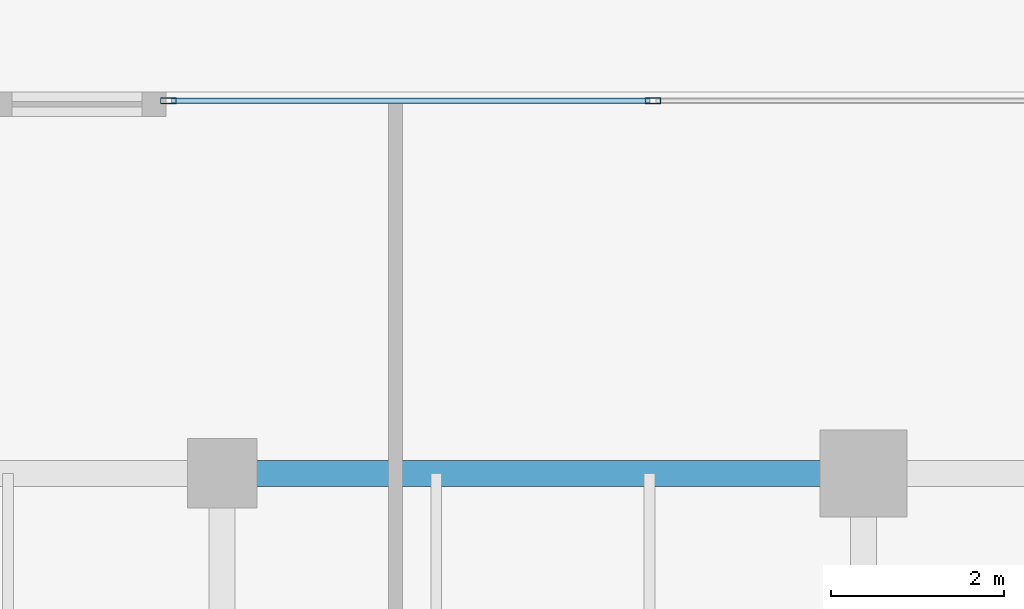
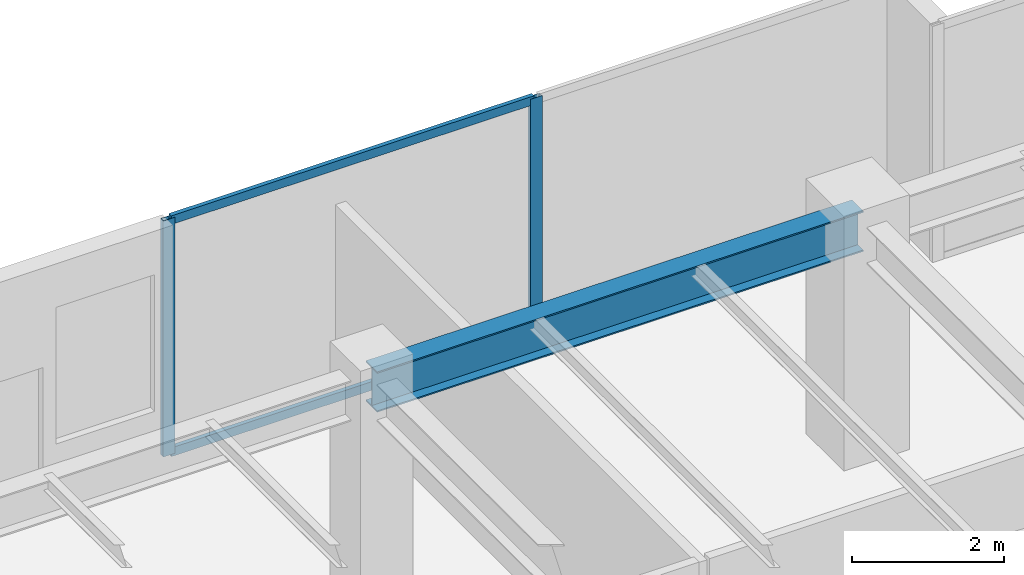
# One storey, part 15 of 34: 4 members, 1 beam, 1 element without a shape of its own.
"""IFC4 building model written with IfcOpenShell, lengths in metres."""

import ifcopenshell
import ifcopenshell.guid

model = None  # the IFC model being written
_history = None  # IfcOwnerHistory: only IFC2X3 demands one
_inside = {}  # id of a spatial element -> (the spatial element, [elements in it])
_under = {}  # id of a project, library or spatial element -> (it, [spatial elements below it])
_declared = {}  # id of a project -> (the project, [libraries it declares])
_typed = {}  # id of a type object -> (the type object, [elements of that type])
_made_of = {}  # id of a material, layer set ... -> (it, [elements and type objects made of it])


def new_model(schema):
    """Start an empty IFC model of exactly this schema.

    Asked for "IFC4X3", IfcOpenShell would pick the latest addendum, in which some entities
    have other attributes; the version numbers below select the first issue.
    IFC2X3 requires an IfcOwnerHistory on every rooted entity: one is made here for all.
    """
    global model, _history
    if schema == "IFC4X3":
        model = ifcopenshell.file(schema_version=(4, 3, 0, 0))
    else:
        model = ifcopenshell.file(schema=schema)
    _inside.clear()
    _under.clear()
    _declared.clear()
    _typed.clear()
    _made_of.clear()
    _history = None
    if model.schema == "IFC2X3":
        org = make("IfcOrganization", Name="unknown")
        user = make(
            "IfcPersonAndOrganization",
            ThePerson=make("IfcPerson", FamilyName="unknown"),
            TheOrganization=org,
        )
        app = make(
            "IfcApplication",
            ApplicationDeveloper=org,
            Version="unknown",
            ApplicationFullName="unknown",
            ApplicationIdentifier="unknown",
        )
        _history = make(
            "IfcOwnerHistory",
            OwningUser=user,
            OwningApplication=app,
            ChangeAction="ADDED",
            CreationDate=0,
        )
    return model


def make(cls, **values):
    """One entity of the class cls with the attributes given. An attribute that is None is left unset."""
    return model.create_entity(
        cls, **{name: value for name, value in values.items() if value is not None}
    )


def rooted(cls, **values):
    """An entity with a GlobalId (a new one), such as an element, a storey or a relation."""
    return make(cls, GlobalId=ifcopenshell.guid.new(), OwnerHistory=_history, **values)


def si_unit(unit_type, name, prefix=None):
    """IfcSIUnit, for example si_unit("LENGTHUNIT", "METRE", prefix="MILLI")."""
    return make("IfcSIUnit", UnitType=unit_type, Prefix=prefix, Name=name)


def assignment(units):
    """IfcUnitAssignment: the units of a project."""
    return None if units is None else make("IfcUnitAssignment", Units=units)


def point(xyz):
    """IfcCartesianPoint."""
    return None if xyz is None else make("IfcCartesianPoint", Coordinates=xyz)


def direction(xyz):
    """IfcDirection."""
    return None if xyz is None else make("IfcDirection", DirectionRatios=xyz)


def frame(location, z_axis=None, x_axis=None):
    """IfcAxis2Placement3D, a coordinate frame: its origin and axes. An axis left out is left unset."""
    return make(
        "IfcAxis2Placement3D",
        Location=point(location),
        Axis=direction(z_axis),
        RefDirection=direction(x_axis),
    )


def frame_2d(location, x_axis=None):
    """IfcAxis2Placement2D, a coordinate frame in the plane: its origin and x axis."""
    return make(
        "IfcAxis2Placement2D", Location=point(location), RefDirection=direction(x_axis)
    )


def origin():
    """The frame at (0, 0, 0) with its axes left unset."""
    return frame((0.0, 0.0, 0.0))


def origin_2d():
    """The frame at (0, 0) in the plane with its x axis left unset."""
    return frame_2d((0.0, 0.0))


def place(relative_to, where):
    """IfcLocalPlacement: puts the frame where relative to a parent placement (None: the world)."""
    return make(
        "IfcLocalPlacement", PlacementRelTo=relative_to, RelativePlacement=where
    )


def context(
    kind, dimensions, precision=None, world=None, true_north=None, identifier=None
):
    """IfcGeometricRepresentationContext, for example the 3D "Model" context."""
    return make(
        "IfcGeometricRepresentationContext",
        ContextIdentifier=identifier,
        ContextType=kind,
        CoordinateSpaceDimension=dimensions,
        Precision=precision,
        WorldCoordinateSystem=world,
        TrueNorth=true_north,
    )


def subcontext(parent, identifier, kind, view, scale=None):
    """IfcGeometricRepresentationSubContext, for example "Body" below "Model"."""
    return make(
        "IfcGeometricRepresentationSubContext",
        ContextIdentifier=identifier,
        ContextType=kind,
        ParentContext=parent,
        TargetScale=scale,
        TargetView=view,
    )


def project(units=None, contexts=None):
    """IfcProject with its units and contexts."""
    return rooted(
        "IfcProject",
        Name="project",
        RepresentationContexts=contexts,
        UnitsInContext=assignment(units),
    )


def spatial(cls, under=None, at=None, **own):
    """A site, building, storey or space (cls), placed at a placement, below another one or the project."""
    s = rooted(cls, ObjectPlacement=at, **own)
    if under is not None:
        _under.setdefault(under.id(), (under, []))[1].append(s)
    return s


def profile(cls, at=None, kind="AREA", **sizes):
    """A parametric profile (cls). Its sizes go by their IFC names, for example OverallWidth=200.0."""
    return make(cls, ProfileType=kind, Position=at, **sizes)


def hollow_rectangle(**sizes):
    """IfcRectangleHollowProfileDef."""
    return profile("IfcRectangleHollowProfileDef", **sizes)


def i_section(**sizes):
    """IfcIShapeProfileDef."""
    return profile("IfcIShapeProfileDef", **sizes)


def extrude(swept, where, along, depth):
    """IfcExtrudedAreaSolid: the profile swept, set in the frame where, extruded along a direction by depth."""
    return make(
        "IfcExtrudedAreaSolid",
        SweptArea=swept,
        Position=where,
        ExtrudedDirection=direction(along),
        Depth=depth,
    )


def shape(context_of_items, identifier, shape_type, items):
    """IfcShapeRepresentation: the items that make up one representation, for example the "Body"."""
    return make(
        "IfcShapeRepresentation",
        ContextOfItems=context_of_items,
        RepresentationIdentifier=identifier,
        RepresentationType=shape_type,
        Items=items,
    )


def source(mapping_origin, context_of_items, identifier, shape_type, items):
    """IfcRepresentationMap: a shape defined once, which mapped items show again and again."""
    return make(
        "IfcRepresentationMap",
        MappingOrigin=mapping_origin,
        MappedRepresentation=shape(context_of_items, identifier, shape_type, items),
    )


def transform(
    local_origin,
    x_axis=None,
    y_axis=None,
    z_axis=None,
    scale=None,
    scale2=None,
    scale3=None,
    uniform=True,
):
    """IfcCartesianTransformationOperator3D, or its non-uniform kind. x_axis, y_axis, z_axis: its Axis1, 2, 3."""
    if uniform:
        return make(
            "IfcCartesianTransformationOperator3D",
            Axis1=direction(x_axis),
            Axis2=direction(y_axis),
            LocalOrigin=point(local_origin),
            Scale=scale,
            Axis3=direction(z_axis),
        )
    return make(
        "IfcCartesianTransformationOperator3DnonUniform",
        Axis1=direction(x_axis),
        Axis2=direction(y_axis),
        LocalOrigin=point(local_origin),
        Scale=scale,
        Axis3=direction(z_axis),
        Scale2=scale2,
        Scale3=scale3,
    )


def mapped(mapping_source, mapping_target):
    """IfcMappedItem: shows the shape of a source again, moved by a transform."""
    return make(
        "IfcMappedItem", MappingSource=mapping_source, MappingTarget=mapping_target
    )


def material(Name=None, Category=None):
    """IfcMaterial."""
    return make("IfcMaterial", Name=Name, Category=Category)


def layer(
    of_material, thickness, ventilated=None, Name=None, Category=None, Priority=None
):
    """IfcMaterialLayer: one layer of a wall or slab, of a material (None: an air gap)."""
    return make(
        "IfcMaterialLayer",
        Material=of_material,
        LayerThickness=thickness,
        IsVentilated=ventilated,
        Name=Name,
        Category=Category,
        Priority=Priority,
    )


def layer_set(layers, Name=None):
    """IfcMaterialLayerSet."""
    return make("IfcMaterialLayerSet", MaterialLayers=layers, LayerSetName=Name)


def material_profile(
    of_material, cross_section, Name=None, Category=None, Priority=None
):
    """IfcMaterialProfile: a cross section and its material."""
    return make(
        "IfcMaterialProfile",
        Name=Name,
        Material=of_material,
        Profile=cross_section,
        Priority=Priority,
        Category=Category,
    )


def profile_set(profiles, Name=None, composite=None):
    """IfcMaterialProfileSet."""
    return make(
        "IfcMaterialProfileSet",
        Name=Name,
        MaterialProfiles=profiles,
        CompositeProfile=composite,
    )


def made_of(thing, what):
    """Note that an element or type object is made of a material, layer set ...; save() writes the relation."""
    if what is not None:
        _made_of.setdefault(what.id(), (what, []))[1].append(thing)
    return thing


def type_object(cls, material=None, **own):
    """A type object (cls), such as IfcWallType, which elements share."""
    return made_of(rooted(cls, **own), material)


def type_shapes(of_type, sources):
    """Give a type object the sources (RepresentationMaps) that its elements show as mapped items."""
    of_type.RepresentationMaps = sources


def element(
    cls,
    number,
    at=None,
    inside=None,
    cuts=None,
    type_object=None,
    material=None,
    context=None,
    identifier="Body",
    shape_type=None,
    held_by="IfcProductDefinitionShape",
    body=None,
    shapes=None,
    **own,
):
    """One element of the class cls, such as IfcWall. Its Tag is "e" and its number.

    at: its placement. inside: the storey or other place that contains it. cuts: it is an
    opening in that element (IfcRelVoidsElement). A single representation is given by context,
    identifier, shape_type and body (its items); several are given by shapes. held_by: the class
    of the entity that holds the representations. save() writes the other relations.
    """
    e = rooted(cls, Tag="e%d" % number, ObjectPlacement=at, **own)
    if body is not None:
        shapes = [shape(context, identifier, shape_type, body)]
    if shapes is not None:
        e.Representation = make(held_by, Representations=shapes)
    if inside is not None:
        _inside.setdefault(inside.id(), (inside, []))[1].append(e)
    if cuts is not None:
        rooted(
            "IfcRelVoidsElement", RelatingBuildingElement=cuts, RelatedOpeningElement=e
        )
    if type_object is not None:
        _typed.setdefault(type_object.id(), (type_object, []))[1].append(e)
    return made_of(e, material)


def aggregate(whole, parts):
    """IfcRelAggregates: a whole, such as a stair, and the parts it consists of."""
    return rooted("IfcRelAggregates", RelatingObject=whole, RelatedObjects=parts)


def save(model, path):
    """Write the relations noted so far, then the file.

    IfcRelAggregates (storeys below a building ...), IfcRelContainedInSpatialStructure (elements
    in a storey), IfcRelDefinesByType, IfcRelAssociatesMaterial and IfcRelDeclares: one each for
    every whole, place, type object, material and project.
    """
    for whole, parts in _under.values():
        aggregate(whole, parts)
    for where, things in _inside.values():
        rooted(
            "IfcRelContainedInSpatialStructure",
            RelatedElements=things,
            RelatingStructure=where,
        )
    for kind, things in _typed.values():
        rooted("IfcRelDefinesByType", RelatedObjects=things, RelatingType=kind)
    for what, things in _made_of.values():
        rooted("IfcRelAssociatesMaterial", RelatedObjects=things, RelatingMaterial=what)
    for by, libraries in _declared.values():
        rooted("IfcRelDeclares", RelatingContext=by, RelatedDefinitions=libraries)
    model.write(path)


model = new_model("IFC4")

# Units and contexts
model_context = context("Model", 3, precision=1e-05, world=origin(), true_north=direction((0.0, 1.0)))
body_context = subcontext(model_context, "Body", "Model", "MODEL_VIEW")
ifc_project = project(units=[si_unit("LENGTHUNIT", "METRE"), si_unit("AREAUNIT", "SQUARE_METRE"), si_unit("VOLUMEUNIT", "CUBIC_METRE"), si_unit("PLANEANGLEUNIT", "RADIAN"), si_unit("MASSUNIT", "GRAM", prefix="KILO")], contexts=[model_context])

# Site, building, storey
site_placement = place(None, origin())
site = spatial("IfcSite", under=ifc_project, at=site_placement, CompositionType="ELEMENT")
building_placement = place(site_placement, origin())
building = spatial("IfcBuilding", under=site, at=building_placement, Name="Haelvirn Gate Laboratories", CompositionType="ELEMENT")
storey_placement = place(building_placement, frame((0.0, 0.0, 246.5)))
storey = spatial("IfcBuildingStorey", under=building, at=storey_placement, Name="L59", CompositionType="ELEMENT", Elevation=246.5)

# Beam
ifc_material_1 = material(Name="Steel SM355", Category="steel")
ifc_material_profile_1 = material_profile(ifc_material_1, i_section(OverallWidth=0.300048828125, OverallDepth=0.64990234375, WebThickness=0.012939453125, FlangeThickness=0.02197265625, at=origin_2d()), Name="H-650x300x13x22")
ifc_profile_set_1 = profile_set([ifc_material_profile_1], Name="Steel SM355")
beam_type = type_object("IfcBeamType", Name="BM-G-650", PredefinedType="BEAM", material=ifc_profile_set_1)
shared_shape_1 = source(origin(), body_context, "Body", "SweptSolid", [
    extrude(i_section(OverallWidth=0.300048828125, OverallDepth=0.64990234375, WebThickness=0.012939453125, FlangeThickness=0.02197265625, at=origin_2d()), origin(), (0.0, 0.0, 1.0), 7.39990234375),
])
type_shapes(beam_type, [shared_shape_1])
beam_placement = place(storey_placement, frame((14.800048828125, 41.60009765625, 3.47509765625), z_axis=(1.0, 0.0, 0.0), x_axis=(0.0, 1.0, 0.0)))
element("IfcBeam", 1, at=beam_placement, inside=storey, type_object=beam_type, Name="L59 Primary Girder Y41.6 (14.8-22.2)", PredefinedType="BEAM", context=body_context, shape_type="MappedRepresentation", body=[
    mapped(shared_shape_1, transform((0.0, 0.0, 0.0), scale=1.0)),
])

# Curtain wall, members
ifc_material_2 = material(Name="Anodised bronze unitised aluminium & triple low-E glass", Category="aluminium")
ifc_layer = layer(ifc_material_2, 0.176025390625, Name="CW-SYS-4")
ifc_layer_set = layer_set([ifc_layer], Name="Anodised bronze unitised aluminium & triple low-E glass")
curtain_wall_type = type_object("IfcCurtainWallType", Name="CW-SYS-4", PredefinedType="NOTDEFINED", material=ifc_layer_set)
curtain_wall_placement = place(storey_placement, origin())
curtain_wall = element("IfcCurtainWall", 2, at=curtain_wall_placement, inside=storey, type_object=curtain_wall_type, Name="L59 Unitised Curtain Wall CW-L59-P0-E14-2", PredefinedType="NOTDEFINED")
ifc_material_3 = material(Name="Extruded aluminium 6063-T6 (anodised bronze)", Category="aluminium")
ifc_material_profile_2 = material_profile(ifc_material_3, hollow_rectangle(XDim=0.070068359375, YDim=0.179931640625, WallThickness=0.0048828125, at=origin_2d()), Name="CWM-180x70x5")
ifc_profile_set_2 = profile_set([ifc_material_profile_2], Name="Extruded aluminium 6063-T6 (anodised bronze)")
member_type_1 = type_object("IfcMemberType", Name="CWM-T180", PredefinedType="MULLION", material=ifc_profile_set_2)
shared_shape_2 = source(origin(), body_context, "Body", "SweptSolid", [
    extrude(hollow_rectangle(XDim=0.070068359375, YDim=0.179931640625, WallThickness=0.0048828125, at=origin_2d()), origin(), (0.0, 0.0, 1.0), 3.800048828125),
])
type_shapes(member_type_1, [shared_shape_2])
member_1_placement = place(storey_placement, frame((14.179931640625, 45.89990234375, 0.0), z_axis=(0.0, 0.0, 1.0), x_axis=(0.0, 1.0, 0.0)))
member_1 = element("IfcMember", 3, at=member_1_placement, type_object=member_type_1, Name="CW4 mullion 1", PredefinedType="MULLION", context=body_context, shape_type="MappedRepresentation", body=[
    mapped(shared_shape_2, transform((0.0, 0.0, 0.0), scale=1.0)),
])
member_2_placement = place(storey_placement, frame((19.7724609375, 45.89990234375, 0.0), z_axis=(0.0, 0.0, 1.0), x_axis=(0.0, 1.0, 0.0)))
member_2 = element("IfcMember", 4, at=member_2_placement, type_object=member_type_1, Name="CW4 mullion 2", PredefinedType="MULLION", context=body_context, shape_type="MappedRepresentation", body=[
    mapped(shared_shape_2, transform((0.0, 0.0, 0.0), scale=1.0)),
])
ifc_material_profile_3 = material_profile(ifc_material_3, hollow_rectangle(XDim=0.06494140625, YDim=0.139892578125, WallThickness=0.00390625, at=origin_2d()), Name="CWT-140x65x4")
ifc_profile_set_3 = profile_set([ifc_material_profile_3], Name="Extruded aluminium 6063-T6 (anodised bronze)")
member_type_2 = type_object("IfcMemberType", Name="CWT-T140", PredefinedType="USERDEFINED", material=ifc_profile_set_3)
shared_shape_3 = source(origin(), body_context, "Body", "SweptSolid", [
    extrude(hollow_rectangle(XDim=0.06494140625, YDim=0.139892578125, WallThickness=0.00390625, at=origin_2d()), origin(), (0.0, 0.0, 1.0), 5.5224609375),
])
type_shapes(member_type_2, [shared_shape_3])
member_3_placement = place(storey_placement, frame((14.215087890625, 45.89990234375, 0.032470703125), z_axis=(1.0, 0.0, 0.0), x_axis=(0.0, 1.0, 0.0)))
member_3 = element("IfcMember", 5, at=member_3_placement, type_object=member_type_2, Name="CW4 transom 1.1", ObjectType="TRANSOM", PredefinedType="USERDEFINED", context=body_context, shape_type="MappedRepresentation", body=[
    mapped(shared_shape_3, transform((0.0, 0.0, 0.0), scale=1.0)),
])
member_4_placement = place(storey_placement, frame((14.215087890625, 45.89990234375, 3.767578125), z_axis=(1.0, 0.0, 0.0), x_axis=(0.0, 1.0, 0.0)))
member_4 = element("IfcMember", 6, at=member_4_placement, type_object=member_type_2, Name="CW4 transom 1.2", ObjectType="TRANSOM", PredefinedType="USERDEFINED", context=body_context, shape_type="MappedRepresentation", body=[
    mapped(shared_shape_3, transform((0.0, 0.0, 0.0), scale=1.0)),
])
aggregate(curtain_wall, [member_1, member_2, member_3, member_4])

save(model, "model.ifc")
